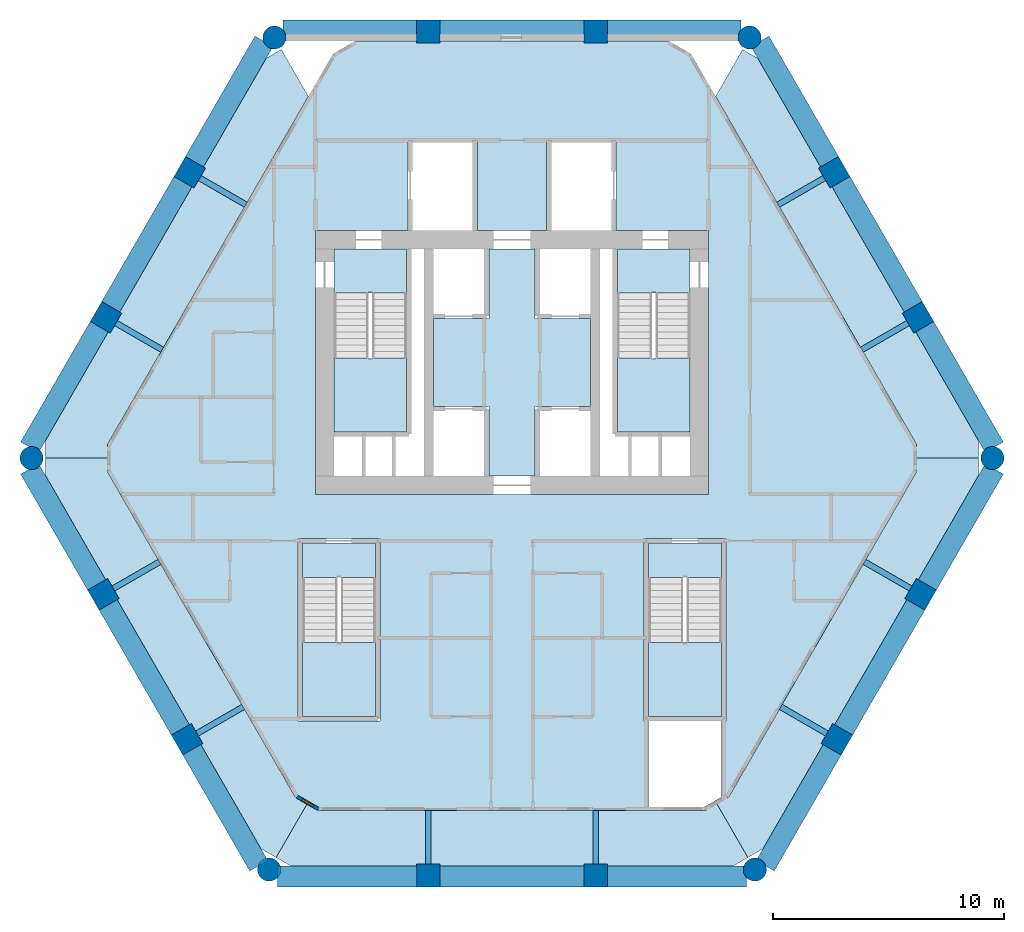
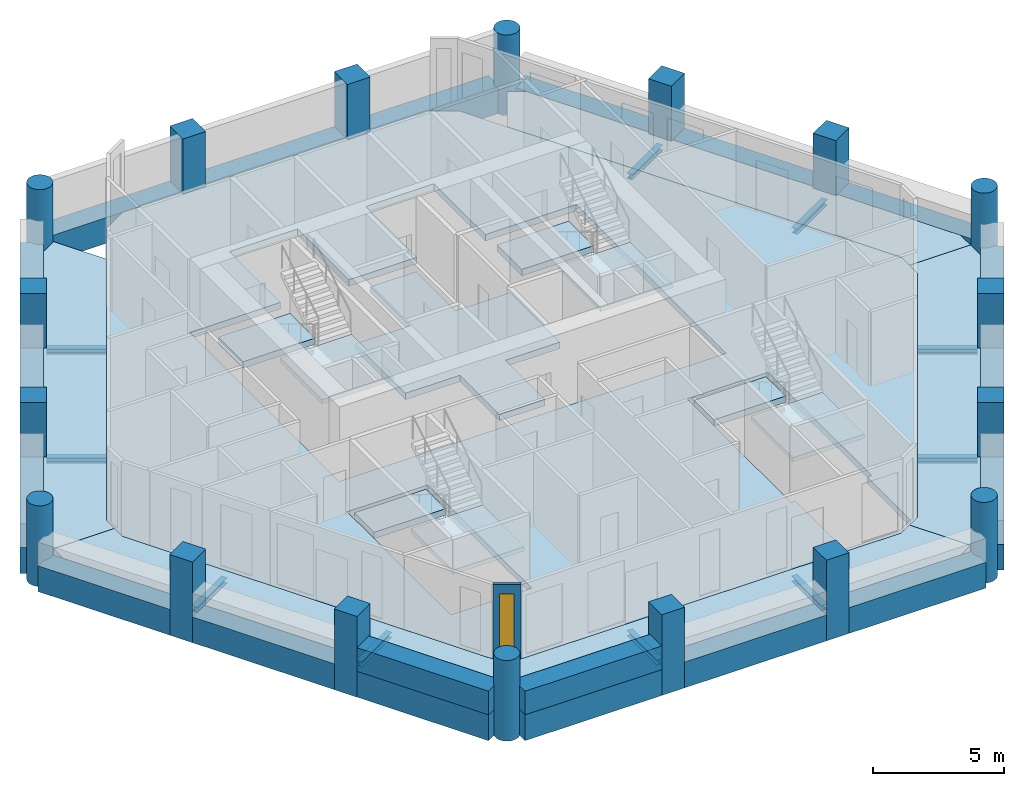
# One storey, part 1 of 7: 28 beams, 18 columns, 15 slabs, 3 walls, 1 window, 1 opening, 4 elements without a shape of their own.
"""IFC4 building model written with IfcOpenShell, lengths in metres."""

from ifc_helpers import new_model, si_unit, direction, frame, frame_2d, origin, origin_2d, place, context, subcontext, project, spatial, polyline, rectangle, circle, i_section, outline, extrude, material, layer, layer_set, material_profile, profile_set, type_object, element, fill, aggregate, save


model = new_model("IFC4")

# Units and contexts
model_context = context("Model", 3, precision=1e-05, world=origin(), true_north=direction((0.0, 1.0)))
body_context = subcontext(model_context, "Body", "Model", "MODEL_VIEW")
ifc_project = project(units=[si_unit("LENGTHUNIT", "METRE"), si_unit("AREAUNIT", "SQUARE_METRE"), si_unit("VOLUMEUNIT", "CUBIC_METRE"), si_unit("PLANEANGLEUNIT", "RADIAN"), si_unit("MASSUNIT", "GRAM", prefix="KILO")], contexts=[model_context])

# Site, building, storey
site_placement = place(None, origin())
site = spatial("IfcSite", under=ifc_project, at=site_placement, CompositionType="ELEMENT")
building_placement = place(site_placement, origin())
building = spatial("IfcBuilding", under=site, at=building_placement, Name="Ostrander Bayou Hotel Tower", CompositionType="ELEMENT")
storey_placement = place(building_placement, frame((0.0, 0.0, 157.0)))
storey = spatial("IfcBuildingStorey", under=building, at=storey_placement, Name="L38", CompositionType="ELEMENT", Elevation=157.0)

# Columns
ifc_material_1 = material(Name="Concrete f'c 60 MPa", Category="concrete")
ifc_material_profile_1 = material_profile(ifc_material_1, circle(Radius=0.5, at=origin_2d()))
ifc_profile_set_1 = profile_set([ifc_material_profile_1], Name="Concrete f'c 60 MPa")
column_type_1 = type_object("IfcColumnType", Name="C5 round column 1000 mm f'c 60 MPa", PredefinedType="COLUMN", material=ifc_profile_set_1)
for number, where, z_axis, x_axis, name in (
    (1, (-10.267333984375, 18.04541015625, -1.199951171875), (0.0, 0.0, 1.0), (1.0, 0.0, 0.0), "C5 L38 K0"),
    (2, (-20.761474609375, -0.130859375, -1.199951171875), (0.0, 0.0, 1.0), (1.0, 0.0, 0.0), "C5 L38 K1"),
    (3, (-10.494140625, -17.91455078125, -1.199951171875), (0.0, 0.0, 1.0), (1.0, 0.0, 0.0), "C5 L38 K2"),
    (4, (10.494140625, -17.91455078125, -1.199951171875), (0.0, 0.0, 1.0), (1.0, 0.0, 0.0), "C5 L38 K3"),
    (5, (20.761474609375, -0.130859375, -1.199951171875), (0.0, 0.0, 1.0), (1.0, 0.0, 0.0), "C5 L38 K4"),
    (6, (10.267333984375, 18.04541015625, -1.199951171875), (0.0, 0.0, 1.0), (1.0, 0.0, 0.0), "C5 L38 K5"),
):
    element("IfcColumn", number, at=place(storey_placement, frame(where, z_axis=z_axis, x_axis=x_axis)), inside=storey, type_object=column_type_1, Name=name, PredefinedType="COLUMN", context=body_context, shape_type="SweptSolid", body=[
        extrude(circle(Radius=0.5, at=origin_2d()), origin(), (0.0, 0.0, 1.0), 3.75),
    ])
ifc_material_2 = material(Name="Concrete f'c 60 MPa", Category="concrete")
ifc_material_profile_2 = material_profile(ifc_material_2, rectangle(XDim=1.0, YDim=1.0, at=origin_2d()))
ifc_profile_set_2 = profile_set([ifc_material_profile_2], Name="Concrete f'c 60 MPa")
column_type_2 = type_object("IfcColumnType", Name="C6 square column 1000 x 1000 mm f'c 60 MPa", PredefinedType="COLUMN", material=ifc_profile_set_2)
for number, where, z_axis, x_axis, name in (
    (7, (3.6181640625, 18.300048828125, -1.199951171875), (0.0, 0.0, 1.0), (1.0, 0.0, 0.0), "C6 L38 N1"),
    (8, (-3.6181640625, 18.300048828125, -1.199951171875), (0.0, 0.0, 1.0), (1.0, 0.0, 0.0), "C6 L38 N2"),
    (9, (-13.92578125, 12.218017578125, -1.199951171875), (0.0, 0.0, 1.0), (0.5, 0.866025403784, 0.0), "C6 L38 NW1"),
    (10, (-17.5439453125, 5.951171875, -1.199951171875), (0.0, 0.0, 1.0), (0.5, 0.866025403784, 0.0), "C6 L38 NW2"),
    (11, (-17.6572265625, -6.0166015625, -1.199951171875), (0.0, 0.0, 1.0), (-0.5, 0.866025403784, 0.0), "C6 L38 SW1"),
    (12, (-14.039306640625, -12.283203125, -1.199951171875), (0.0, 0.0, 1.0), (-0.5, 0.866025403784, 0.0), "C6 L38 SW2"),
    (13, (-3.6181640625, -18.169189453125, -1.199951171875), (0.0, 0.0, 1.0), (-1.0, 0.0, 0.0), "C6 L38 S1"),
    (14, (3.6181640625, -18.169189453125, -1.199951171875), (0.0, 0.0, 1.0), (-1.0, 0.0, 0.0), "C6 L38 S2"),
    (15, (14.039306640625, -12.283203125, -1.199951171875), (0.0, 0.0, 1.0), (-0.5, -0.866025403784, 0.0), "C6 L38 SE1"),
    (16, (17.6572265625, -6.0166015625, -1.199951171875), (0.0, 0.0, 1.0), (-0.5, -0.866025403784, 0.0), "C6 L38 SE2"),
    (17, (17.5439453125, 5.951171875, -1.199951171875), (0.0, 0.0, 1.0), (0.5, -0.866025403784, 0.0), "C6 L38 NE1"),
    (18, (13.92578125, 12.218017578125, -1.199951171875), (0.0, 0.0, 1.0), (0.5, -0.866025403784, 0.0), "C6 L38 NE2"),
):
    element("IfcColumn", number, at=place(storey_placement, frame(where, z_axis=z_axis, x_axis=x_axis)), inside=storey, type_object=column_type_2, Name=name, PredefinedType="COLUMN", context=body_context, shape_type="SweptSolid", body=[
        extrude(rectangle(XDim=1.0, YDim=1.0, at=origin_2d()), origin(), (0.0, 0.0, 1.0), 3.75),
    ])

# Beams
ifc_material_3 = material(Name="Steel ASTM A992", Category="steel")
ifc_material_profile_3 = material_profile(ifc_material_3, i_section(OverallWidth=0.25390625, OverallDepth=0.25341796875, WebThickness=0.008544921875, FlangeThickness=0.01416015625, at=origin_2d()))
ifc_profile_set_3 = profile_set([ifc_material_profile_3], Name="Steel ASTM A992")
beam_type_1 = type_object("IfcBeamType", Name="LB2 loggia bracket W10x49", PredefinedType="BEAM", material=ifc_profile_set_3)
for number, where, z_axis, x_axis, name in (
    (19, (-13.492919921875, 11.968017578125, -0.4267578125), (0.866007057882, -0.500031774688, 0.0), (0.500031774688, 0.866007057882, 0.0), "LB2 L38 NW1"),
    (20, (-17.11083984375, 5.701171875, -0.4267578125), (0.866053019151, -0.499952165731, 0.0), (0.499952165731, 0.866053019151, 0.0), "LB2 L38 NW2"),
    (21, (-17.224365234375, -5.7666015625, -0.4267578125), (0.866053019151, 0.499952165731, 0.0), (-0.499952165731, 0.866053019151, 0.0), "LB2 L38 SW1"),
):
    element("IfcBeam", number, at=place(storey_placement, frame(where, z_axis=z_axis, x_axis=x_axis)), inside=storey, type_object=beam_type_1, Name=name, PredefinedType="BEAM", context=body_context, shape_type="SweptSolid", body=[
        extrude(i_section(OverallWidth=0.25390625, OverallDepth=0.25341796875, WebThickness=0.008544921875, FlangeThickness=0.01416015625, at=origin_2d()), origin(), (0.0, 0.0, 1.0), 2.300048828125),
    ])
beam_1_placement = place(storey_placement, frame((-13.606201171875, -12.033203125, -0.4267578125), z_axis=(0.86602648383, 0.499998129301, 0.0), x_axis=(-0.499998129301, 0.86602648383, 0.0)))
element("IfcBeam", 22, at=beam_1_placement, inside=storey, type_object=beam_type_1, Name="LB2 L38 SW2", PredefinedType="BEAM", context=body_context, shape_type="SweptSolid", body=[
    extrude(i_section(OverallWidth=0.25390625, OverallDepth=0.25341796875, WebThickness=0.008544921875, FlangeThickness=0.01416015625, at=origin_2d()), origin(), (0.0, 0.0, 1.0), 2.2998046875),
])
for number, where, z_axis, x_axis, name in (
    (23, (-3.6181640625, -17.669189453125, -0.4267578125), (0.0, 1.0, 0.0), (-1.0, 0.0, 0.0), "LB2 L38 S1"),
    (24, (3.6181640625, -17.669189453125, -0.4267578125), (0.0, 1.0, 0.0), (-1.0, 0.0, 0.0), "LB2 L38 S2"),
):
    element("IfcBeam", number, at=place(storey_placement, frame(where, z_axis=z_axis, x_axis=x_axis)), inside=storey, type_object=beam_type_1, Name=name, PredefinedType="BEAM", context=body_context, shape_type="SweptSolid", body=[
        extrude(i_section(OverallWidth=0.25390625, OverallDepth=0.25341796875, WebThickness=0.008544921875, FlangeThickness=0.01416015625, at=origin_2d()), origin(), (0.0, 0.0, 1.0), 2.300048828125),
    ])
beam_2_placement = place(storey_placement, frame((13.606201171875, -12.033203125, -0.4267578125), z_axis=(-0.86602648383, 0.499998129301, 0.0), x_axis=(-0.499998129301, -0.86602648383, 0.0)))
element("IfcBeam", 25, at=beam_2_placement, inside=storey, type_object=beam_type_1, Name="LB2 L38 SE1", PredefinedType="BEAM", context=body_context, shape_type="SweptSolid", body=[
    extrude(i_section(OverallWidth=0.25390625, OverallDepth=0.25341796875, WebThickness=0.008544921875, FlangeThickness=0.01416015625, at=origin_2d()), origin(), (0.0, 0.0, 1.0), 2.2998046875),
])
for number, where, z_axis, x_axis, name in (
    (26, (17.224365234375, -5.7666015625, -0.4267578125), (-0.866053019151, 0.499952165731, 0.0), (-0.499952165731, -0.866053019151, 0.0), "LB2 L38 SE2"),
    (27, (17.11083984375, 5.701171875, -0.4267578125), (-0.866053019151, -0.499952165731, 0.0), (0.499952165731, -0.866053019151, 0.0), "LB2 L38 NE1"),
    (28, (13.492919921875, 11.968017578125, -0.4267578125), (-0.866007057882, -0.500031774688, 0.0), (0.500031774688, -0.866007057882, 0.0), "LB2 L38 NE2"),
):
    element("IfcBeam", number, at=place(storey_placement, frame(where, z_axis=z_axis, x_axis=x_axis)), inside=storey, type_object=beam_type_1, Name=name, PredefinedType="BEAM", context=body_context, shape_type="SweptSolid", body=[
        extrude(i_section(OverallWidth=0.25390625, OverallDepth=0.25341796875, WebThickness=0.008544921875, FlangeThickness=0.01416015625, at=origin_2d()), origin(), (0.0, 0.0, 1.0), 2.300048828125),
    ])
ifc_material_4 = material(Name="Concrete f'c 60 MPa", Category="concrete")
ifc_material_profile_4 = material_profile(ifc_material_4, rectangle(XDim=0.89990234375, YDim=1.199951171875, at=origin_2d()))
ifc_profile_set_4 = profile_set([ifc_material_profile_4], Name="Concrete f'c 60 MPa")
beam_type_2 = type_object("IfcBeamType", Name="SP3 spandrel beam 900 x 1200 mm f'c 60 MPa", PredefinedType="SPANDREL", material=ifc_profile_set_4)
beam_3_placement = place(storey_placement, frame((9.90087890625, 18.35009765625, -0.60009765625), z_axis=(-1.0, 0.0, 0.0), x_axis=(0.0, -1.0, 0.0)))
element("IfcBeam", 29, at=beam_3_placement, inside=storey, type_object=beam_type_2, Name="SP3 L38 N-1", PredefinedType="SPANDREL", context=body_context, shape_type="SweptSolid", body=[
    extrude(rectangle(XDim=0.89990234375, YDim=1.199951171875, at=origin_2d()), origin(), (0.0, 0.0, 1.0), 5.812744140625),
])
beam_4_placement = place(storey_placement, frame((3.148193359375, 18.35009765625, -0.60009765625), z_axis=(-1.0, 0.0, 0.0), x_axis=(0.0, -1.0, 0.0)))
element("IfcBeam", 30, at=beam_4_placement, inside=storey, type_object=beam_type_2, Name="SP3 L38 N-2", PredefinedType="SPANDREL", context=body_context, shape_type="SweptSolid", body=[
    extrude(rectangle(XDim=0.89990234375, YDim=1.199951171875, at=origin_2d()), origin(), (0.0, 0.0, 1.0), 6.29638671875),
])
beam_5_placement = place(storey_placement, frame((-4.088134765625, 18.35009765625, -0.60009765625), z_axis=(-1.0, 0.0, 0.0), x_axis=(0.0, -1.0, 0.0)))
element("IfcBeam", 31, at=beam_5_placement, inside=storey, type_object=beam_type_2, Name="SP3 L38 N-3", PredefinedType="SPANDREL", context=body_context, shape_type="SweptSolid", body=[
    extrude(rectangle(XDim=0.89990234375, YDim=1.199951171875, at=origin_2d()), origin(), (0.0, 0.0, 1.0), 5.812744140625),
])
beam_6_placement = place(storey_placement, frame((-10.71435546875, 17.88037109375, -0.60009765625), z_axis=(-0.499995386674, -0.866028067273, 0.0), x_axis=(0.866028067273, -0.499995386674, 0.0)))
element("IfcBeam", 32, at=beam_6_placement, inside=storey, type_object=beam_type_2, Name="SP3 L38 NW-1", PredefinedType="SPANDREL", context=body_context, shape_type="SweptSolid", body=[
    extrude(rectangle(XDim=0.89990234375, YDim=1.199951171875, at=origin_2d()), origin(), (0.0, 0.0, 1.0), 6.03955078125),
])
beam_7_placement = place(storey_placement, frame((-14.2041015625, 11.835693359375, -0.60009765625), z_axis=(-0.500030142214, -0.86600800047, 0.0), x_axis=(0.86600800047, -0.500030142214, 0.0)))
element("IfcBeam", 33, at=beam_7_placement, inside=storey, type_object=beam_type_2, Name="SP3 L38 NW-2", PredefinedType="SPANDREL", context=body_context, shape_type="SweptSolid", body=[
    extrude(rectangle(XDim=0.89990234375, YDim=1.199951171875, at=origin_2d()), origin(), (0.0, 0.0, 1.0), 6.2958984375),
])
beam_8_placement = place(storey_placement, frame((-17.822265625, 5.569091796875, -0.60009765625), z_axis=(-0.500012890865, -0.866017961112, 0.0), x_axis=(0.866017961112, -0.500012890865, 0.0)))
element("IfcBeam", 34, at=beam_8_placement, inside=storey, type_object=beam_type_2, Name="SP3 L38 NW-3", PredefinedType="SPANDREL", context=body_context, shape_type="SweptSolid", body=[
    extrude(rectangle(XDim=0.89990234375, YDim=1.199951171875, at=origin_2d()), origin(), (0.0, 0.0, 1.0), 6.039306640625),
])
beam_9_placement = place(storey_placement, frame((-20.842041015625, -0.6005859375, -0.60009765625), z_axis=(0.500019366424, -0.866014222285, 0.0), x_axis=(0.866014222285, 0.500019366424, 0.0)))
element("IfcBeam", 35, at=beam_9_placement, inside=storey, type_object=beam_type_2, Name="SP3 L38 SW-1", PredefinedType="SPANDREL", context=body_context, shape_type="SweptSolid", body=[
    extrude(rectangle(XDim=0.89990234375, YDim=1.199951171875, at=origin_2d()), origin(), (0.0, 0.0, 1.0), 5.812744140625),
])
beam_10_placement = place(storey_placement, frame((-17.465576171875, -6.44873046875, -0.60009765625), z_axis=(0.500013351051, -0.866017695414, 0.0), x_axis=(0.866017695414, 0.500013351051, 0.0)))
element("IfcBeam", 36, at=beam_10_placement, inside=storey, type_object=beam_type_2, Name="SP3 L38 SW-2", PredefinedType="SPANDREL", context=body_context, shape_type="SweptSolid", body=[
    extrude(rectangle(XDim=0.89990234375, YDim=1.199951171875, at=origin_2d()), origin(), (0.0, 0.0, 1.0), 6.296142578125),
])
beam_11_placement = place(storey_placement, frame((-13.847412109375, -12.71533203125, -0.60009765625), z_axis=(0.499969679245, -0.866042908773, 0.0), x_axis=(0.866042908773, 0.499969679245, 0.0)))
element("IfcBeam", 37, at=beam_11_placement, inside=storey, type_object=beam_type_2, Name="SP3 L38 SW-3", PredefinedType="SPANDREL", context=body_context, shape_type="SweptSolid", body=[
    extrude(rectangle(XDim=0.89990234375, YDim=1.199951171875, at=origin_2d()), origin(), (0.0, 0.0, 1.0), 5.812744140625),
])
beam_12_placement = place(storey_placement, frame((-10.127685546875, -18.218994140625, -0.60009765625), z_axis=(1.0, 0.0, 0.0), x_axis=(0.0, 1.0, 0.0)))
element("IfcBeam", 38, at=beam_12_placement, inside=storey, type_object=beam_type_2, Name="SP3 L38 S-1", PredefinedType="SPANDREL", context=body_context, shape_type="SweptSolid", body=[
    extrude(rectangle(XDim=0.89990234375, YDim=1.199951171875, at=origin_2d()), origin(), (0.0, 0.0, 1.0), 6.03955078125),
])
beam_13_placement = place(storey_placement, frame((-3.148193359375, -18.218994140625, -0.60009765625), z_axis=(1.0, 0.0, 0.0), x_axis=(0.0, 1.0, 0.0)))
element("IfcBeam", 39, at=beam_13_placement, inside=storey, type_object=beam_type_2, Name="SP3 L38 S-2", PredefinedType="SPANDREL", context=body_context, shape_type="SweptSolid", body=[
    extrude(rectangle(XDim=0.89990234375, YDim=1.199951171875, at=origin_2d()), origin(), (0.0, 0.0, 1.0), 6.29638671875),
])
beam_14_placement = place(storey_placement, frame((4.088134765625, -18.218994140625, -0.60009765625), z_axis=(1.0, 0.0, 0.0), x_axis=(0.0, 1.0, 0.0)))
element("IfcBeam", 40, at=beam_14_placement, inside=storey, type_object=beam_type_2, Name="SP3 L38 S-3", PredefinedType="SPANDREL", context=body_context, shape_type="SweptSolid", body=[
    extrude(rectangle(XDim=0.89990234375, YDim=1.199951171875, at=origin_2d()), origin(), (0.0, 0.0, 1.0), 6.03955078125),
])
beam_15_placement = place(storey_placement, frame((10.941162109375, -17.74951171875, -0.60009765625), z_axis=(0.499969679245, 0.866042908773, 0.0), x_axis=(-0.866042908773, 0.499969679245, 0.0)))
element("IfcBeam", 41, at=beam_15_placement, inside=storey, type_object=beam_type_2, Name="SP3 L38 SE-1", PredefinedType="SPANDREL", context=body_context, shape_type="SweptSolid", body=[
    extrude(rectangle(XDim=0.89990234375, YDim=1.199951171875, at=origin_2d()), origin(), (0.0, 0.0, 1.0), 5.812744140625),
])
beam_16_placement = place(storey_placement, frame((14.3173828125, -11.9013671875, -0.60009765625), z_axis=(0.500013351051, 0.866017695414, 0.0), x_axis=(-0.866017695414, 0.500013351051, 0.0)))
element("IfcBeam", 42, at=beam_16_placement, inside=storey, type_object=beam_type_2, Name="SP3 L38 SE-2", PredefinedType="SPANDREL", context=body_context, shape_type="SweptSolid", body=[
    extrude(rectangle(XDim=0.89990234375, YDim=1.199951171875, at=origin_2d()), origin(), (0.0, 0.0, 1.0), 6.296142578125),
])
beam_17_placement = place(storey_placement, frame((17.935546875, -5.634521484375, -0.60009765625), z_axis=(0.500019366424, 0.866014222285, 0.0), x_axis=(-0.866014222285, 0.500019366424, 0.0)))
element("IfcBeam", 43, at=beam_17_placement, inside=storey, type_object=beam_type_2, Name="SP3 L38 SE-3", PredefinedType="SPANDREL", context=body_context, shape_type="SweptSolid", body=[
    extrude(rectangle(XDim=0.89990234375, YDim=1.199951171875, at=origin_2d()), origin(), (0.0, 0.0, 1.0), 5.812744140625),
])
beam_18_placement = place(storey_placement, frame((20.842041015625, 0.3388671875, -0.60009765625), z_axis=(-0.500012890865, 0.866017961112, 0.0), x_axis=(-0.866017961112, -0.500012890865, 0.0)))
element("IfcBeam", 44, at=beam_18_placement, inside=storey, type_object=beam_type_2, Name="SP3 L38 NE-1", PredefinedType="SPANDREL", context=body_context, shape_type="SweptSolid", body=[
    extrude(rectangle(XDim=0.89990234375, YDim=1.199951171875, at=origin_2d()), origin(), (0.0, 0.0, 1.0), 6.039306640625),
])
beam_19_placement = place(storey_placement, frame((17.352294921875, 6.38330078125, -0.60009765625), z_axis=(-0.500030142214, 0.86600800047, 0.0), x_axis=(-0.86600800047, -0.500030142214, 0.0)))
element("IfcBeam", 45, at=beam_19_placement, inside=storey, type_object=beam_type_2, Name="SP3 L38 NE-2", PredefinedType="SPANDREL", context=body_context, shape_type="SweptSolid", body=[
    extrude(rectangle(XDim=0.89990234375, YDim=1.199951171875, at=origin_2d()), origin(), (0.0, 0.0, 1.0), 6.2958984375),
])
beam_20_placement = place(storey_placement, frame((13.734130859375, 12.64990234375, -0.60009765625), z_axis=(-0.499995386674, 0.866028067273, 0.0), x_axis=(-0.866028067273, -0.499995386674, 0.0)))
element("IfcBeam", 46, at=beam_20_placement, inside=storey, type_object=beam_type_2, Name="SP3 L38 NE-3", PredefinedType="SPANDREL", context=body_context, shape_type="SweptSolid", body=[
    extrude(rectangle(XDim=0.89990234375, YDim=1.199951171875, at=origin_2d()), origin(), (0.0, 0.0, 1.0), 6.03955078125),
])

# Slabs
ifc_material_5 = material(Name="Concrete f'c 40 MPa", Category="concrete")
ifc_layer_1 = layer(ifc_material_5, 0.300048828125)
ifc_layer_set_1 = layer_set([ifc_layer_1], Name="SL1 floor slab 300 mm f'c 40 MPa")
slab_type_1 = type_object("IfcSlabType", Name="SL1 floor slab 300 mm f'c 40 MPa", PredefinedType="FLOOR", material=ifc_layer_set_1)
slab_1_placement = place(storey_placement, frame((0.0, 0.0, -0.300048828125)))
element("IfcSlab", 47, at=slab_1_placement, inside=storey, type_object=slab_type_1, Name="SL1 L38 1", PredefinedType="FLOOR", context=body_context, shape_type="SweptSolid", body=[
    extrude(outline(polyline([(7.758544921875, 17.300048828125), (17.475830078125, 0.468994140625), (17.475830078125, -0.73095703125), (9.370849609375, -14.76904296875), (8.331787109375, -15.369140625), (-8.331787109375, -15.369140625), (-9.370849609375, -14.76904296875), (-17.475830078125, -0.73095703125), (-17.475830078125, 0.468994140625), (-7.758544921875, 17.300048828125), (-6.71923828125, 17.89990234375), (6.71923828125, 17.89990234375), (7.758544921875, 17.300048828125)]), holes=[polyline([(9.050048828125, -11.5), (9.25, -11.5), (9.25, -3.60009765625), (5.699951171875, -3.60009765625), (5.699951171875, -11.5), (5.89990234375, -11.5), (5.89990234375, -15.218994140625), (8.29150390625, -15.218994140625), (9.050048828125, -14.78125), (9.050048828125, -11.5)]), polyline([(-8.5, -1.699951171875), (8.5, -1.699951171875), (8.5, 9.699951171875), (4.5, 9.699951171875), (4.5, 13.60009765625), (1.5, 13.60009765625), (1.5, 9.699951171875), (-1.5, 9.699951171875), (-1.5, 13.60009765625), (-4.5, 13.60009765625), (-4.5, 9.699951171875), (-8.5, 9.699951171875), (-8.5, -1.699951171875)]), polyline([(-5.699951171875, -3.60009765625), (-9.25, -3.60009765625), (-9.25, -11.5), (-5.699951171875, -11.5), (-5.699951171875, -3.60009765625)])]), origin(), (0.0, 0.0, 1.0), 0.300048828125),
])
slab_2_placement = place(storey_placement, frame((0.0, 0.0, -0.300048828125)))
element("IfcSlab", 48, at=slab_2_placement, inside=storey, type_object=slab_type_1, Name="cslab:L38:001", PredefinedType="FLOOR", context=body_context, shape_type="SweptSolid", body=[
    extrude(outline(polyline([(-3.39990234375, 5.89990234375), (-1.0, 5.89990234375), (-1.0, 8.89990234375), (1.0, 8.89990234375), (1.0, 5.89990234375), (3.39990234375, 5.89990234375), (3.39990234375, 2.10009765625), (1.0, 2.10009765625), (1.0, -0.89990234375), (-1.0, -0.89990234375), (-1.0, 2.10009765625), (-3.39990234375, 2.10009765625), (-3.39990234375, 5.89990234375)])), origin(), (0.0, 0.0, 1.0), 0.300048828125),
])
slab_3_placement = place(storey_placement, frame((0.0, 0.0, -0.300048828125)))
element("IfcSlab", 49, at=slab_3_placement, inside=storey, type_object=slab_type_1, Name="cslab:L38:002", PredefinedType="FLOOR", context=body_context, shape_type="SweptSolid", body=[
    extrude(outline(polyline([(-4.550048828125, 7.0), (-4.550048828125, 8.89990234375), (-7.699951171875, 8.89990234375), (-7.699951171875, 7.0), (-4.550048828125, 7.0)])), origin(), (0.0, 0.0, 1.0), 0.300048828125),
])
slab_4_placement = place(storey_placement, frame((0.0, 0.0, -0.300048828125)))
element("IfcSlab", 50, at=slab_4_placement, inside=storey, type_object=slab_type_1, Name="cslab:L38:003", PredefinedType="FLOOR", context=body_context, shape_type="SweptSolid", body=[
    extrude(outline(polyline([(7.699951171875, 7.0), (7.699951171875, 8.89990234375), (4.550048828125, 8.89990234375), (4.550048828125, 7.0), (7.699951171875, 7.0)])), origin(), (0.0, 0.0, 1.0), 0.300048828125),
])
slab_5_placement = place(storey_placement, frame((0.0, 0.0, -0.300048828125)))
element("IfcSlab", 51, at=slab_5_placement, inside=storey, type_object=slab_type_1, Name="cslab:L38:004", PredefinedType="FLOOR", context=body_context, shape_type="SweptSolid", body=[
    extrude(outline(polyline([(9.050048828125, -5.300048828125), (9.050048828125, -3.800048828125), (5.89990234375, -3.800048828125), (5.89990234375, -5.300048828125), (9.050048828125, -5.300048828125)])), origin(), (0.0, 0.0, 1.0), 0.300048828125),
])
slab_6_placement = place(storey_placement, frame((0.0, 0.0, -0.300048828125)))
element("IfcSlab", 52, at=slab_6_placement, inside=storey, type_object=slab_type_1, Name="cslab:L38:005", PredefinedType="FLOOR", context=body_context, shape_type="SweptSolid", body=[
    extrude(outline(polyline([(-5.89990234375, -5.300048828125), (-5.89990234375, -3.800048828125), (-9.050048828125, -3.800048828125), (-9.050048828125, -5.300048828125), (-5.89990234375, -5.300048828125)])), origin(), (0.0, 0.0, 1.0), 0.300048828125),
])
ifc_material_6 = material(Name="Concrete f'c 40 MPa", Category="concrete")
ifc_layer_2 = layer(ifc_material_6, 0.300048828125)
ifc_layer_set_2 = layer_set([ifc_layer_2], Name="SL4 loggia slab 300 mm f'c 40 MPa")
slab_type_2 = type_object("IfcSlabType", Name="SL4 loggia slab 300 mm f'c 40 MPa", PredefinedType="FLOOR", material=ifc_layer_set_2)
slab_7_placement = place(storey_placement, frame((0.0, 0.0, -0.300048828125)))
element("IfcSlab", 53, at=slab_7_placement, inside=storey, type_object=slab_type_2, Name="SL4 LOGGIA L38 NW 1", PredefinedType="FLOOR", context=body_context, shape_type="SweptSolid", body=[
    extrude(outline(polyline([(-20.160400390625, -0.130859375), (-20.160400390625, 0.619140625), (-17.4326171875, 5.34423828125), (-16.96240234375, 6.158203125), (-14.18408203125, 10.970703125), (-13.344482421875, 12.4248046875), (-10.616455078125, 17.14990234375), (-9.966796875, 17.52490234375), (-8.7978515625, 15.5), (-17.475830078125, 0.468994140625), (-17.475830078125, -0.130859375), (-20.160400390625, -0.130859375)])), origin(), (0.0, 0.0, 1.0), 0.300048828125),
])
slab_8_placement = place(storey_placement, frame((0.0, 0.0, -0.300048828125)))
element("IfcSlab", 54, at=slab_8_placement, inside=storey, type_object=slab_type_2, Name="SL4 LOGGIA L38 SW 1", PredefinedType="FLOOR", context=body_context, shape_type="SweptSolid", body=[
    extrude(outline(polyline([(-8.851318359375, -15.069091796875), (-10.193603515625, -17.39404296875), (-10.84326171875, -17.01904296875), (-15.094482421875, -9.655517578125), (-17.075927734375, -6.2236328125), (-17.5458984375, -5.40966796875), (-20.160400390625, -0.880859375), (-20.160400390625, -0.130859375), (-17.475830078125, -0.130859375), (-17.475830078125, -0.73095703125), (-9.370849609375, -14.76904296875), (-8.851318359375, -15.069091796875)])), origin(), (0.0, 0.0, 1.0), 0.300048828125),
])
slab_9_placement = place(storey_placement, frame((0.0, 0.0, -0.300048828125)))
element("IfcSlab", 55, at=slab_9_placement, inside=storey, type_object=slab_type_2, Name="SL4 LOGGIA L38 S 1", PredefinedType="FLOOR", context=body_context, shape_type="SweptSolid", body=[
    extrude(outline(polyline([(8.851318359375, -15.069091796875), (10.193603515625, -17.39404296875), (9.544189453125, -17.76904296875), (4.088134765625, -17.76904296875), (3.148193359375, -17.76904296875), (0.0, -17.76904296875), (-9.544189453125, -17.76904296875), (-10.193603515625, -17.39404296875), (-8.851318359375, -15.069091796875), (-8.331787109375, -15.369140625), (8.331787109375, -15.369140625), (8.851318359375, -15.069091796875)])), origin(), (0.0, 0.0, 1.0), 0.300048828125),
])
slab_10_placement = place(storey_placement, frame((0.0, 0.0, -0.300048828125)))
element("IfcSlab", 56, at=slab_10_placement, inside=storey, type_object=slab_type_2, Name="SL4 LOGGIA L38 SE 1", PredefinedType="FLOOR", context=body_context, shape_type="SweptSolid", body=[
    extrude(outline(polyline([(17.475830078125, -0.130859375), (20.160400390625, -0.130859375), (20.160400390625, -0.880859375), (18.25146484375, -4.1875), (17.075927734375, -6.2236328125), (13.927734375, -11.67626953125), (13.457763671875, -12.490478515625), (10.84326171875, -17.01904296875), (10.193603515625, -17.39404296875), (8.851318359375, -15.069091796875), (9.370849609375, -14.76904296875), (17.475830078125, -0.73095703125), (17.475830078125, -0.130859375)])), origin(), (0.0, 0.0, 1.0), 0.300048828125),
])
slab_11_placement = place(storey_placement, frame((0.0, 0.0, -0.300048828125)))
element("IfcSlab", 57, at=slab_11_placement, inside=storey, type_object=slab_type_2, Name="SL4 LOGGIA L38 NE 1", PredefinedType="FLOOR", context=body_context, shape_type="SweptSolid", body=[
    extrude(outline(polyline([(9.966796875, 17.52490234375), (10.616455078125, 17.14990234375), (16.7119140625, 6.59228515625), (16.96240234375, 6.158203125), (17.4326171875, 5.34423828125), (20.160400390625, 0.619140625), (20.160400390625, -0.130859375), (17.475830078125, -0.130859375), (17.475830078125, 0.468994140625), (8.7978515625, 15.5), (9.966796875, 17.52490234375)])), origin(), (0.0, 0.0, 1.0), 0.300048828125),
])

# Stair, slab
ifc_material_7 = material(Name="Concrete f'c 45 MPa", Category="concrete")
stair_type = type_object("IfcStairType", Name="ST1 exit stair 1500 mm f'c 45 MPa", PredefinedType="HALF_TURN_STAIR", material=ifc_material_7)
stair_1_placement = place(storey_placement, origin())
stair_1 = element("IfcStair", 58, at=stair_1_placement, inside=storey, type_object=stair_type, Name="L38 exit stair A", PredefinedType="HALF_TURN_STAIR")
ifc_material_8 = material(Name="Concrete f'c 45 MPa", Category="concrete")
ifc_layer_3 = layer(ifc_material_8, 0.199951171875)
ifc_layer_set_3 = layer_set([ifc_layer_3], Name="SL8 stair landing 200 mm f'c 45 MPa")
slab_type_3 = type_object("IfcSlabType", Name="SL8 stair landing 200 mm f'c 45 MPa", PredefinedType="LANDING", material=ifc_layer_set_3)
slab_12_placement = place(storey_placement, frame((0.0, 0.0, 1.675048828125)))
slab_12 = element("IfcSlab", 59, at=slab_12_placement, type_object=slab_type_3, Name="STA landing 1", PredefinedType="LANDING", context=body_context, shape_type="SweptSolid", body=[
    extrude(outline(polyline([(-7.699951171875, 4.199951171875), (-7.699951171875, 1.0), (-4.550048828125, 1.0), (-4.550048828125, 4.199951171875), (-7.699951171875, 4.199951171875)])), origin(), (0.0, 0.0, 1.0), 0.199951171875),
])
aggregate(stair_1, [slab_12])

stair_2_placement = place(storey_placement, origin())
stair_2 = element("IfcStair", 60, at=stair_2_placement, inside=storey, type_object=stair_type, Name="L38 exit stair B", PredefinedType="HALF_TURN_STAIR")
slab_13_placement = place(storey_placement, frame((0.0, 0.0, 1.675048828125)))
slab_13 = element("IfcSlab", 61, at=slab_13_placement, type_object=slab_type_3, Name="STB landing 1", PredefinedType="LANDING", context=body_context, shape_type="SweptSolid", body=[
    extrude(outline(polyline([(4.550048828125, 4.199951171875), (4.550048828125, 1.0), (7.699951171875, 1.0), (7.699951171875, 4.199951171875), (4.550048828125, 4.199951171875)])), origin(), (0.0, 0.0, 1.0), 0.199951171875),
])
aggregate(stair_2, [slab_13])

stair_3_placement = place(storey_placement, origin())
stair_3 = element("IfcStair", 62, at=stair_3_placement, inside=storey, type_object=stair_type, Name="L38 exit stair C", PredefinedType="HALF_TURN_STAIR")
slab_14_placement = place(storey_placement, frame((0.0, 0.0, 1.675048828125)))
slab_14 = element("IfcSlab", 63, at=slab_14_placement, type_object=slab_type_3, Name="STC landing 1", PredefinedType="LANDING", context=body_context, shape_type="SweptSolid", body=[
    extrude(outline(polyline([(5.89990234375, -8.10009765625), (5.89990234375, -11.300048828125), (9.050048828125, -11.300048828125), (9.050048828125, -8.10009765625), (5.89990234375, -8.10009765625)])), origin(), (0.0, 0.0, 1.0), 0.199951171875),
])
aggregate(stair_3, [slab_14])

stair_4_placement = place(storey_placement, origin())
stair_4 = element("IfcStair", 64, at=stair_4_placement, inside=storey, type_object=stair_type, Name="L38 exit stair D", PredefinedType="HALF_TURN_STAIR")
slab_15_placement = place(storey_placement, frame((0.0, 0.0, 1.675048828125)))
slab_15 = element("IfcSlab", 65, at=slab_15_placement, type_object=slab_type_3, Name="STD landing 1", PredefinedType="LANDING", context=body_context, shape_type="SweptSolid", body=[
    extrude(outline(polyline([(-9.050048828125, -8.10009765625), (-9.050048828125, -11.300048828125), (-5.89990234375, -11.300048828125), (-5.89990234375, -8.10009765625), (-9.050048828125, -8.10009765625)])), origin(), (0.0, 0.0, 1.0), 0.199951171875),
])
aggregate(stair_4, [slab_15])

# Wall, opening, window
ifc_material_9 = material(Name="Aluminium framed insulated wall", Category="aluminium")
ifc_layer_4 = layer(ifc_material_9, 0.14990234375)
ifc_layer_set_4 = layer_set([ifc_layer_4], Name="GW1 glass-line wall 150 mm")
wall_type_1 = type_object("IfcWallType", Name="GW1 glass-line wall 150 mm", PredefinedType="SOLIDWALL", material=ifc_layer_set_4)
wall_1_placement = place(storey_placement, frame((-9.288818359375, -14.76171875, 0.0), z_axis=(0.0, 0.0, 1.0), x_axis=(0.866105447774, -0.499861334108, 0.0)))
wall_1 = element("IfcWall", 66, at=wall_1_placement, inside=storey, type_object=wall_type_1, Name="GW1 L38 corner 3", PredefinedType="SOLIDWALL", context=body_context, shape_type="SweptSolid", body=[
    extrude(rectangle(XDim=1.065185546875, YDim=0.14990234375, at=frame_2d((0.53271484375, 0.0))), origin(), (0.0, 0.0, 1.0), 3.449951171875),
])
opening_placement = place(wall_1_placement, frame((0.257568359375, 0.0, 0.14990234375)))
opening = element("IfcOpeningElement", 67, at=opening_placement, cuts=wall_1, Name="Opening W19", PredefinedType="OPENING", context=body_context, shape_type="SweptSolid", body=[
    extrude(rectangle(XDim=0.550048828125, YDim=2.85009765625, at=frame_2d((0.27490234375, 1.425048828125))), frame((0.0, 0.074951171875, 0.0), z_axis=(0.0, -1.0, 0.0), x_axis=(1.0, 0.0, 0.0)), (0.0, 0.0, 1.0), 0.14990234375),
])
ifc_material_10 = material(Name="Aluminium and clear glass", Category="aluminium")
window_type = type_object("IfcWindowType", Name="W19 corner window 550 mm", PartitioningType="SINGLE_PANEL", PredefinedType="WINDOW", material=ifc_material_10)
window_placement = place(opening_placement, origin())
window = element("IfcWindow", 68, at=window_placement, inside=storey, type_object=window_type, Name="W19 L38 corner 3", OverallHeight=2.85009765625, OverallWidth=0.550048828125, PartitioningType="SINGLE_PANEL", PredefinedType="WINDOW", context=body_context, shape_type="SweptSolid", body=[
    extrude(rectangle(XDim=0.550048828125, YDim=2.85009765625, at=frame_2d((0.27490234375, 1.425048828125))), frame((0.0, 0.030029296875, 0.0), z_axis=(0.0, -1.0, 0.0), x_axis=(1.0, 0.0, 0.0)), (0.0, 0.0, 1.0), 0.06005859375),
])
fill(opening, window)

# Walls
ifc_material_11 = material(Name="Concrete f'c 40 MPa", Category="concrete")
ifc_layer_5 = layer(ifc_material_11, 0.89990234375)
ifc_layer_set_5 = layer_set([ifc_layer_5], Name="PA1 stone-faced parapet 900 mm")
wall_type_2 = type_object("IfcWallType", Name="PA1 stone-faced parapet 900 mm", PredefinedType="PARAPET", material=ifc_layer_set_5)
wall_2_placement = place(storey_placement, frame((-10.127685546875, -18.218994140625, 0.0), z_axis=(0.0, 0.0, 1.0), x_axis=(1.0, 0.0, 0.0)))
element("IfcWall", 69, at=wall_2_placement, inside=storey, type_object=wall_type_2, Name="PA1 L38 S-1", PredefinedType="PARAPET", context=body_context, shape_type="SweptSolid", body=[
    extrude(rectangle(XDim=6.03955078125, YDim=0.89990234375, at=frame_2d((3.019775390625, 0.0))), origin(), (0.0, 0.0, 1.0), 1.10009765625),
])
ifc_material_12 = material(Name="Limestone masonry", Category="masonry")
ifc_layer_6 = layer(ifc_material_12, 0.89990234375)
ifc_layer_set_6 = layer_set([ifc_layer_6], Name="PA2 limestone parapet 900 mm")
wall_type_3 = type_object("IfcWallType", Name="PA2 limestone parapet 900 mm", PredefinedType="PARAPET", material=ifc_layer_set_6)
wall_3_placement = place(storey_placement, frame((-13.847412109375, -12.71533203125, 0.0), z_axis=(0.0, 0.0, 1.0), x_axis=(0.499969679245, -0.866042908773, 0.0)))
element("IfcWall", 70, at=wall_3_placement, inside=storey, type_object=wall_type_3, Name="PA2 L38 SW-3", PredefinedType="PARAPET", context=body_context, shape_type="SweptSolid", body=[
    extrude(rectangle(XDim=5.812744140625, YDim=0.89990234375, at=frame_2d((2.90625, 0.0))), origin(), (0.0, 0.0, 1.0), 1.10009765625),
])

save(model, "model.ifc")
